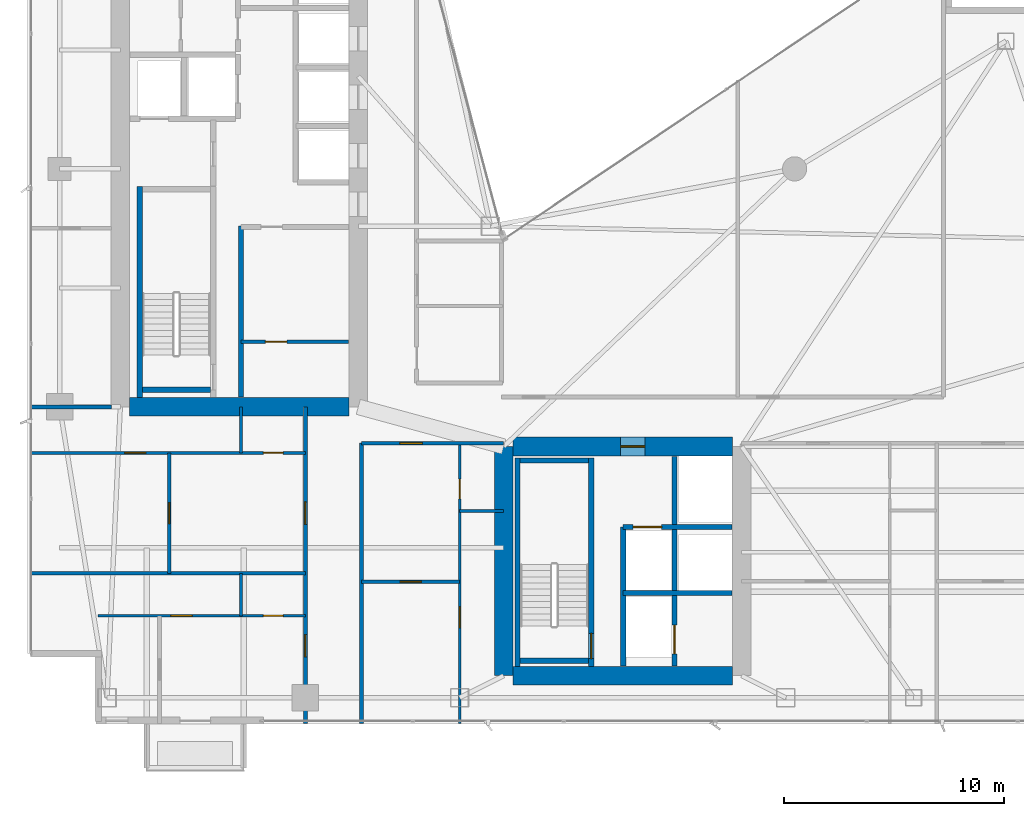
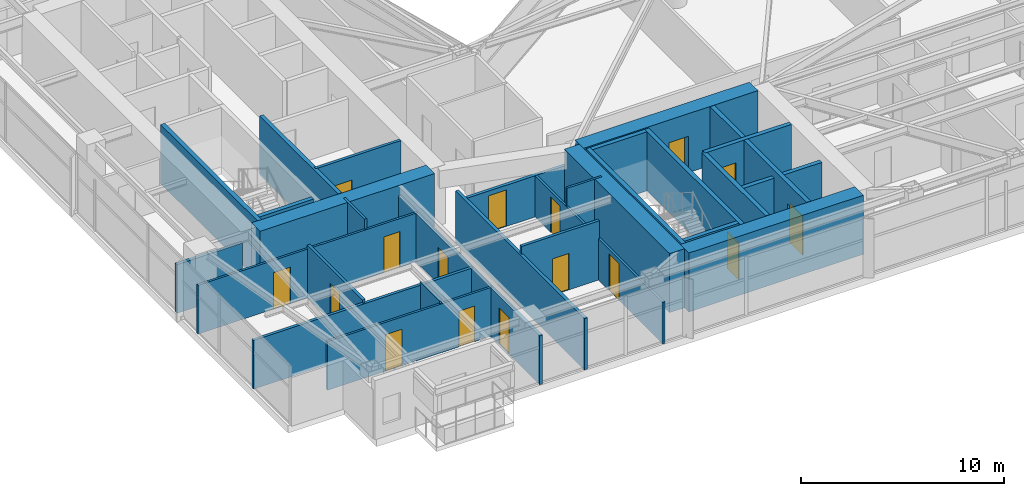
# One storey, part 24 of 30: 29 walls, 16 doors, 16 openings.
"""IFC4 building model written with IfcOpenShell, lengths in metres."""

from ifc_helpers import new_model, si_unit, direction, frame, frame_2d, origin, place, context, subcontext, project, spatial, rectangle, extrude, material, layer, layer_set, type_object, element, fill, save


model = new_model("IFC4")

# Units and contexts
model_context = context("Model", 3, precision=1e-05, world=origin(), true_north=direction((0.0, 1.0)))
body_context = subcontext(model_context, "Body", "Model", "MODEL_VIEW")
ifc_project = project(units=[si_unit("LENGTHUNIT", "METRE"), si_unit("AREAUNIT", "SQUARE_METRE"), si_unit("VOLUMEUNIT", "CUBIC_METRE"), si_unit("PLANEANGLEUNIT", "RADIAN"), si_unit("MASSUNIT", "GRAM", prefix="KILO")], contexts=[model_context])

# Site, building, storey
site_placement = place(None, origin())
site = spatial("IfcSite", under=ifc_project, at=site_placement, CompositionType="ELEMENT")
building_placement = place(site_placement, origin())
building = spatial("IfcBuilding", under=site, at=building_placement, Name="Calvorn Quay Hotel", CompositionType="ELEMENT")
storey_placement = place(building_placement, frame((0.0, 0.0, 191.300048828125)))
storey = spatial("IfcBuildingStorey", under=building, at=storey_placement, Name="L47", CompositionType="ELEMENT", Elevation=191.300048828125)

# Walls
ifc_material_1 = material(Name="Concrete C50", Category="concrete")
ifc_layer_1 = layer(ifc_material_1, 0.85009765625)
ifc_layer_set_1 = layer_set([ifc_layer_1], Name="WL-CORE-850")
wall_type_1 = type_object("IfcWallType", Name="WL-CORE-850", PredefinedType="SHEAR", material=ifc_layer_set_1)
wall_1_placement = place(storey_placement, frame((4.625, 16.800048828125, 0.0), z_axis=(0.0, 0.0, 1.0), x_axis=(1.0, 0.0, 0.0)))
element("IfcWall", 1, at=wall_1_placement, inside=storey, type_object=wall_type_1, Name="West Core Shear Wall S (L47)", PredefinedType="SHEAR", context=body_context, shape_type="SweptSolid", body=[
    extrude(rectangle(XDim=9.949951171875, YDim=0.85009765625, at=frame_2d((4.97509765625, 0.0))), origin(), (0.0, 0.0, 1.0), 3.56005859375),
])
wall_2_placement = place(storey_placement, frame((21.60009765625, 4.60009765625, 0.0), z_axis=(0.0, 0.0, 1.0), x_axis=(0.0, 1.0, 0.0)))
element("IfcWall", 2, at=wall_2_placement, inside=storey, type_object=wall_type_1, Name="East Core Shear Wall W (L47)", PredefinedType="SHEAR", context=body_context, shape_type="SweptSolid", body=[
    extrude(rectangle(XDim=10.39990234375, YDim=0.85009765625, at=frame_2d((5.199951171875, 0.0))), origin(), (0.0, 0.0, 1.0), 3.56005859375),
])

# Wall, opening, door
wall_3_placement = place(storey_placement, frame((22.02490234375, 15.0, 0.0), z_axis=(0.0, 0.0, 1.0), x_axis=(1.0, 0.0, 0.0)))
wall_3 = element("IfcWall", 3, at=wall_3_placement, inside=storey, type_object=wall_type_1, Name="East Core Shear Wall N (L47)", PredefinedType="SHEAR", context=body_context, shape_type="SweptSolid", body=[
    extrude(rectangle(XDim=9.9501953125, YDim=0.85009765625, at=frame_2d((4.97509765625, 0.0))), origin(), (0.0, 0.0, 1.0), 3.56005859375),
])
opening_1_placement = place(wall_3_placement, frame((4.8798828125, 0.0, 0.0)))
opening_1 = element("IfcOpeningElement", 4, at=opening_1_placement, cuts=wall_3, Name="Opening D-L47-FLE", PredefinedType="OPENING", context=body_context, shape_type="SweptSolid", body=[
    extrude(rectangle(XDim=1.10009765625, YDim=2.199951171875, at=frame_2d((0.550048828125, 1.10009765625))), frame((0.0, 0.43505859375, 0.0), z_axis=(0.0, -1.0, 0.0), x_axis=(1.0, 0.0, 0.0)), (0.0, 0.0, 1.0), 0.8701171875),
])
ifc_material_2 = material(Name="Smoke-Sealed Steel Class A Fire Door", Category="steel")
door_type_1 = type_object("IfcDoorType", Name="DR-FFLOBBY-1100", OperationType="NOTDEFINED", PredefinedType="DOOR", material=ifc_material_2)
door_1_placement = place(opening_1_placement, origin())
door_1 = element("IfcDoor", 5, at=door_1_placement, inside=storey, type_object=door_type_1, Name="East Firefighting Lobby Fire Door (L47)", OperationType="SINGLE_SWING_LEFT", OverallHeight=2.199951171875, OverallWidth=1.10009765625, PredefinedType="DOOR", context=body_context, shape_type="SweptSolid", body=[
    extrude(rectangle(XDim=1.10009765625, YDim=2.199951171875, at=frame_2d((0.550048828125, 1.10009765625))), frame((0.0, 0.02490234375, 0.0), z_axis=(0.0, -1.0, 0.0), x_axis=(1.0, 0.0, 0.0)), (0.0, 0.0, 1.0), 0.050048828125),
])
fill(opening_1, door_1)

# Walls
wall_4_placement = place(storey_placement, frame((22.02490234375, 4.60009765625, 0.0), z_axis=(0.0, 0.0, 1.0), x_axis=(1.0, 0.0, 0.0)))
element("IfcWall", 6, at=wall_4_placement, inside=storey, type_object=wall_type_1, Name="East Core Shear Wall S (L47)", PredefinedType="SHEAR", context=body_context, shape_type="SweptSolid", body=[
    extrude(rectangle(XDim=9.9501953125, YDim=0.85009765625, at=frame_2d((4.97509765625, 0.0))), origin(), (0.0, 0.0, 1.0), 3.56005859375),
])
ifc_material_3 = material(Name="Acoustic Fireboard Steel-Stud Partition", Category="steel")
ifc_layer_2 = layer(ifc_material_3, 0.179931640625)
ifc_layer_set_2 = layer_set([ifc_layer_2], Name="WL-CORR-FIRE-180")
wall_type_2 = type_object("IfcWallType", Name="WL-CORR-FIRE-180", PredefinedType="PARTITIONING", material=ifc_layer_set_2)
wall_5_placement = place(storey_placement, frame((0.080078125, 16.800048828125, 0.0), z_axis=(0.0, 0.0, 1.0), x_axis=(1.0, 0.0, 0.0)))
element("IfcWall", 7, at=wall_5_placement, inside=storey, type_object=wall_type_2, Name="Partition Wall L47-WL-WBAY-S-WALL", PredefinedType="PARTITIONING", context=body_context, shape_type="SweptSolid", body=[
    extrude(rectangle(XDim=3.724853515625, YDim=0.179931640625, at=frame_2d((1.8623046875, 0.0))), origin(), (0.0, 0.0, 1.0), 2.93994140625),
])

# Wall, openings, doors
wall_6_placement = place(storey_placement, frame((12.60009765625, 2.43994140625, 0.0), z_axis=(0.0, 0.0, 1.0), x_axis=(0.0, 1.0, 0.0)))
wall_6 = element("IfcWall", 8, at=wall_6_placement, inside=storey, type_object=wall_type_2, Name="Partition Wall L47-WL-CORR-SW-LEG-W", PredefinedType="PARTITIONING", context=body_context, shape_type="SweptSolid", body=[
    extrude(rectangle(XDim=14.360107421875, YDim=0.179931640625, at=frame_2d((7.18017578125, 0.0))), origin(), (0.0, 0.0, 1.0), 2.93994140625),
])
opening_2_placement = place(wall_6_placement, frame((3.010009765625, 0.0, 0.0)))
opening_2 = element("IfcOpeningElement", 9, at=opening_2_placement, cuts=wall_6, Name="Opening D-L47-U01", PredefinedType="OPENING", context=body_context, shape_type="SweptSolid", body=[
    extrude(rectangle(XDim=1.02001953125, YDim=2.199951171875, at=frame_2d((0.510009765625, 1.10009765625))), frame((0.0, 0.099853515625, 0.0), z_axis=(0.0, -1.0, 0.0), x_axis=(1.0, 0.0, 0.0)), (0.0, 0.0, 1.0), 0.199951171875),
])
opening_3_placement = place(wall_6_placement, frame((9.030029296875, 0.0, 0.0)))
opening_3 = element("IfcOpeningElement", 10, at=opening_3_placement, cuts=wall_6, Name="Opening D-L47-U02", PredefinedType="OPENING", context=body_context, shape_type="SweptSolid", body=[
    extrude(rectangle(XDim=1.02001953125, YDim=2.199951171875, at=frame_2d((0.510009765625, 1.10009765625))), frame((0.0, 0.099853515625, 0.0), z_axis=(0.0, -1.0, 0.0), x_axis=(1.0, 0.0, 0.0)), (0.0, 0.0, 1.0), 0.199951171875),
])
ifc_material_4 = material(Name="Solid-Core Walnut Veneer Hotel Fire Door")
door_type_2 = type_object("IfcDoorType", Name="DR-GUEST-ENTRY-1020", OperationType="NOTDEFINED", PredefinedType="DOOR", material=ifc_material_4)
door_2_placement = place(opening_2_placement, origin())
door_2 = element("IfcDoor", 11, at=door_2_placement, inside=storey, type_object=door_type_2, Name="South-West Unit Door U01 (L47)", OperationType="SINGLE_SWING_LEFT", OverallHeight=2.199951171875, OverallWidth=1.02001953125, PredefinedType="DOOR", context=body_context, shape_type="SweptSolid", body=[
    extrude(rectangle(XDim=1.02001953125, YDim=2.199951171875, at=frame_2d((0.510009765625, 1.10009765625))), frame((0.0, 0.02490234375, 0.0), z_axis=(0.0, -1.0, 0.0), x_axis=(1.0, 0.0, 0.0)), (0.0, 0.0, 1.0), 0.050048828125),
])
fill(opening_2, door_2)
door_3_placement = place(opening_3_placement, origin())
door_3 = element("IfcDoor", 12, at=door_3_placement, inside=storey, type_object=door_type_2, Name="South-West Unit Door U02 (L47)", OperationType="SINGLE_SWING_RIGHT", OverallHeight=2.199951171875, OverallWidth=1.02001953125, PredefinedType="DOOR", context=body_context, shape_type="SweptSolid", body=[
    extrude(rectangle(XDim=1.02001953125, YDim=2.199951171875, at=frame_2d((0.510009765625, 1.10009765625))), frame((0.0, 0.02490234375, 0.0), z_axis=(0.0, -1.0, 0.0), x_axis=(1.0, 0.0, 0.0)), (0.0, 0.0, 1.0), 0.050048828125),
])
fill(opening_3, door_3)

# Wall
wall_7_placement = place(storey_placement, frame((15.14990234375, 2.43994140625, 0.0), z_axis=(0.0, 0.0, 1.0), x_axis=(0.0, 1.0, 0.0)))
element("IfcWall", 13, at=wall_7_placement, inside=storey, type_object=wall_type_2, Name="Partition Wall L47-WL-CORR-SW-W", PredefinedType="PARTITIONING", context=body_context, shape_type="SweptSolid", body=[
    extrude(rectangle(XDim=12.7099609375, YDim=0.179931640625, at=frame_2d((6.35498046875, 0.0))), origin(), (0.0, 0.0, 1.0), 3.08984375),
])

# Wall, opening, door
wall_8_placement = place(storey_placement, frame((15.14990234375, 15.14990234375, 0.0), z_axis=(0.0, 0.0, 1.0), x_axis=(1.0, 0.0, 0.0)))
wall_8 = element("IfcWall", 14, at=wall_8_placement, inside=storey, type_object=wall_type_2, Name="Partition Wall L47-WL-SC-CORR-S", PredefinedType="PARTITIONING", context=body_context, shape_type="SweptSolid", body=[
    extrude(rectangle(XDim=6.4501953125, YDim=0.179931640625, at=frame_2d((3.22509765625, 0.0))), origin(), (0.0, 0.0, 1.0), 2.489990234375),
])
opening_4_placement = place(wall_8_placement, frame((1.739990234375, 0.0, 0.0)))
opening_4 = element("IfcOpeningElement", 15, at=opening_4_placement, cuts=wall_8, Name="Opening D-L47-U03", PredefinedType="OPENING", context=body_context, shape_type="SweptSolid", body=[
    extrude(rectangle(XDim=1.02001953125, YDim=2.199951171875, at=frame_2d((0.510009765625, 1.10009765625))), frame((0.0, 0.099853515625, 0.0), z_axis=(0.0, -1.0, 0.0), x_axis=(1.0, 0.0, 0.0)), (0.0, 0.0, 1.0), 0.199951171875),
])
door_4_placement = place(opening_4_placement, origin())
door_4 = element("IfcDoor", 16, at=door_4_placement, inside=storey, type_object=door_type_2, Name="Harbour Central Unit Door (L47)", OperationType="SINGLE_SWING_LEFT", OverallHeight=2.199951171875, OverallWidth=1.02001953125, PredefinedType="DOOR", context=body_context, shape_type="SweptSolid", body=[
    extrude(rectangle(XDim=1.02001953125, YDim=2.199951171875, at=frame_2d((0.510009765625, 1.10009765625))), frame((0.0, 0.02490234375, 0.0), z_axis=(0.0, -1.0, 0.0), x_axis=(1.0, 0.0, 0.0)), (0.0, 0.0, 1.0), 0.050048828125),
])
fill(opening_4, door_4)

# Wall
ifc_material_5 = material(Name="Moisture-Resistant Tile-Backed Partition")
ifc_layer_3 = layer(ifc_material_5, 0.125)
ifc_layer_set_3 = layer_set([ifc_layer_3], Name="WL-ENSUITE-125")
wall_type_3 = type_object("IfcWallType", Name="WL-ENSUITE-125", PredefinedType="PARTITIONING", material=ifc_layer_set_3)
wall_9_placement = place(storey_placement, frame((9.679931640625, 7.320068359375, 0.0), z_axis=(0.0, 0.0, 1.0), x_axis=(0.0, 1.0, 0.0)))
element("IfcWall", 17, at=wall_9_placement, inside=storey, type_object=wall_type_3, Name="Partition Wall L47-WL-U01-BDV", PredefinedType="PARTITIONING", context=body_context, shape_type="SweptSolid", body=[
    extrude(rectangle(XDim=1.929931640625, YDim=0.125, at=frame_2d((0.96484375, 0.0))), origin(), (0.0, 0.0, 1.0), 3.08984375),
])

# Wall, openings, doors
wall_10_placement = place(storey_placement, frame((3.199951171875, 7.320068359375, 0.0), z_axis=(0.0, 0.0, 1.0), x_axis=(1.0, 0.0, 0.0)))
wall_10 = element("IfcWall", 18, at=wall_10_placement, inside=storey, type_object=wall_type_3, Name="Partition Wall L47-WL-U01-BH", PredefinedType="PARTITIONING", context=body_context, shape_type="SweptSolid", body=[
    extrude(rectangle(XDim=9.400146484375, YDim=0.125, at=frame_2d((4.7001953125, 0.0))), origin(), (0.0, 0.0, 1.0), 2.93994140625),
])
opening_5_placement = place(wall_10_placement, frame((3.300048828125, 0.0, 0.0)))
opening_5 = element("IfcOpeningElement", 19, at=opening_5_placement, cuts=wall_10, Name="Opening D-L47-S01", PredefinedType="OPENING", context=body_context, shape_type="SweptSolid", body=[
    extrude(rectangle(XDim=0.9599609375, YDim=2.199951171875, at=frame_2d((0.47998046875, 1.10009765625))), frame((0.0, 0.072509765625, 0.0), z_axis=(0.0, -1.0, 0.0), x_axis=(1.0, 0.0, 0.0)), (0.0, 0.0, 1.0), 0.14501953125),
])
opening_6_placement = place(wall_10_placement, frame((7.489990234375, 0.0, 0.0)))
opening_6 = element("IfcOpeningElement", 20, at=opening_6_placement, cuts=wall_10, Name="Opening D-L47-E01", PredefinedType="OPENING", context=body_context, shape_type="SweptSolid", body=[
    extrude(rectangle(XDim=0.89990234375, YDim=2.14990234375, at=frame_2d((0.449951171875, 1.074951171875))), frame((0.0, 0.072509765625, 0.0), z_axis=(0.0, -1.0, 0.0), x_axis=(1.0, 0.0, 0.0)), (0.0, 0.0, 1.0), 0.14501953125),
])
ifc_material_6 = material(Name="Moisture-Sealed Timber En-Suite Door", Category="wood")
door_type_3 = type_object("IfcDoorType", Name="DR-ENSUITE-900", OperationType="NOTDEFINED", PredefinedType="DOOR", material=ifc_material_6)
door_5_placement = place(opening_6_placement, origin())
door_5 = element("IfcDoor", 21, at=door_5_placement, inside=storey, type_object=door_type_3, Name="En-Suite Door 01", OperationType="SINGLE_SWING_RIGHT", OverallHeight=2.14990234375, OverallWidth=0.89990234375, PredefinedType="DOOR", context=body_context, shape_type="SweptSolid", body=[
    extrude(rectangle(XDim=0.89990234375, YDim=2.14990234375, at=frame_2d((0.449951171875, 1.074951171875))), frame((0.0, 0.02490234375, 0.0), z_axis=(0.0, -1.0, 0.0), x_axis=(1.0, 0.0, 0.0)), (0.0, 0.0, 1.0), 0.050048828125),
])
fill(opening_6, door_5)
ifc_material_7 = material(Name="Solid Timber Internal Suite Door", Category="wood")
door_type_4 = type_object("IfcDoorType", Name="DR-SUITE-INT-960", OperationType="NOTDEFINED", PredefinedType="DOOR", material=ifc_material_7)
door_6_placement = place(opening_5_placement, origin())
door_6 = element("IfcDoor", 22, at=door_6_placement, inside=storey, type_object=door_type_4, Name="Harbour Dining Den Door 01", OperationType="SINGLE_SWING_LEFT", OverallHeight=2.199951171875, OverallWidth=0.9599609375, PredefinedType="DOOR", context=body_context, shape_type="SweptSolid", body=[
    extrude(rectangle(XDim=0.9599609375, YDim=2.199951171875, at=frame_2d((0.47998046875, 1.10009765625))), frame((0.0, 0.02490234375, 0.0), z_axis=(0.0, -1.0, 0.0), x_axis=(1.0, 0.0, 0.0)), (0.0, 0.0, 1.0), 0.050048828125),
])
fill(opening_5, door_6)

# Wall
wall_11_placement = place(storey_placement, frame((9.679931640625, 14.7099609375, 0.0), z_axis=(0.0, 0.0, 1.0), x_axis=(0.0, 1.0, 0.0)))
element("IfcWall", 23, at=wall_11_placement, inside=storey, type_object=wall_type_3, Name="Partition Wall L47-WL-U02-BDV", PredefinedType="PARTITIONING", context=body_context, shape_type="SweptSolid", body=[
    extrude(rectangle(XDim=2.090087890625, YDim=0.125, at=frame_2d((1.044921875, 0.0))), origin(), (0.0, 0.0, 1.0), 3.56005859375),
])

# Wall, openings, doors
wall_12_placement = place(storey_placement, frame((0.080078125, 14.7099609375, 0.0), z_axis=(0.0, 0.0, 1.0), x_axis=(1.0, 0.0, 0.0)))
wall_12 = element("IfcWall", 24, at=wall_12_placement, inside=storey, type_object=wall_type_3, Name="Partition Wall L47-WL-U02-BH", PredefinedType="PARTITIONING", context=body_context, shape_type="SweptSolid", body=[
    extrude(rectangle(XDim=12.52001953125, YDim=0.125, at=frame_2d((6.260009765625, 0.0))), origin(), (0.0, 0.0, 1.0), 2.93994140625),
])
opening_7_placement = place(wall_12_placement, frame((4.320068359375, 0.0, 0.0)))
opening_7 = element("IfcOpeningElement", 25, at=opening_7_placement, cuts=wall_12, Name="Opening D-L47-S02", PredefinedType="OPENING", context=body_context, shape_type="SweptSolid", body=[
    extrude(rectangle(XDim=0.9599609375, YDim=2.199951171875, at=frame_2d((0.47998046875, 1.10009765625))), frame((0.0, 0.072509765625, 0.0), z_axis=(0.0, -1.0, 0.0), x_axis=(1.0, 0.0, 0.0)), (0.0, 0.0, 1.0), 0.14501953125),
])
opening_8_placement = place(wall_12_placement, frame((10.610107421875, 0.0, 0.0)))
opening_8 = element("IfcOpeningElement", 26, at=opening_8_placement, cuts=wall_12, Name="Opening D-L47-E02", PredefinedType="OPENING", context=body_context, shape_type="SweptSolid", body=[
    extrude(rectangle(XDim=0.89990234375, YDim=2.14990234375, at=frame_2d((0.449951171875, 1.074951171875))), frame((0.0, 0.072509765625, 0.0), z_axis=(0.0, -1.0, 0.0), x_axis=(1.0, 0.0, 0.0)), (0.0, 0.0, 1.0), 0.14501953125),
])
door_7_placement = place(opening_8_placement, origin())
door_7 = element("IfcDoor", 27, at=door_7_placement, inside=storey, type_object=door_type_3, Name="En-Suite Door 02", OperationType="SINGLE_SWING_RIGHT", OverallHeight=2.14990234375, OverallWidth=0.89990234375, PredefinedType="DOOR", context=body_context, shape_type="SweptSolid", body=[
    extrude(rectangle(XDim=0.89990234375, YDim=2.14990234375, at=frame_2d((0.449951171875, 1.074951171875))), frame((0.0, 0.02490234375, 0.0), z_axis=(0.0, -1.0, 0.0), x_axis=(1.0, 0.0, 0.0)), (0.0, 0.0, 1.0), 0.050048828125),
])
fill(opening_8, door_7)
door_8_placement = place(opening_7_placement, origin())
door_8 = element("IfcDoor", 28, at=door_8_placement, inside=storey, type_object=door_type_4, Name="Harbour Dining Den Door 02", OperationType="SINGLE_SWING_LEFT", OverallHeight=2.199951171875, OverallWidth=0.9599609375, PredefinedType="DOOR", context=body_context, shape_type="SweptSolid", body=[
    extrude(rectangle(XDim=0.9599609375, YDim=2.199951171875, at=frame_2d((0.47998046875, 1.10009765625))), frame((0.0, 0.02490234375, 0.0), z_axis=(0.0, -1.0, 0.0), x_axis=(1.0, 0.0, 0.0)), (0.0, 0.0, 1.0), 0.050048828125),
])
fill(opening_7, door_8)

# Wall
wall_13_placement = place(storey_placement, frame((19.60009765625, 12.070068359375, 0.0), z_axis=(0.0, 0.0, 1.0), x_axis=(1.0, 0.0, 0.0)))
element("IfcWall", 29, at=wall_13_placement, inside=storey, type_object=wall_type_3, Name="Partition Wall L47-WL-U03-BDV", PredefinedType="PARTITIONING", context=body_context, shape_type="SweptSolid", body=[
    extrude(rectangle(XDim=2.0, YDim=0.125, at=frame_2d((1.0, 0.0))), origin(), (0.0, 0.0, 1.0), 3.56005859375),
])

# Wall, openings, doors
wall_14_placement = place(storey_placement, frame((19.60009765625, 2.43994140625, 0.0), z_axis=(0.0, 0.0, 1.0), x_axis=(0.0, 1.0, 0.0)))
wall_14 = element("IfcWall", 30, at=wall_14_placement, inside=storey, type_object=wall_type_3, Name="Partition Wall L47-WL-U03-BV", PredefinedType="PARTITIONING", context=body_context, shape_type="SweptSolid", body=[
    extrude(rectangle(XDim=12.7099609375, YDim=0.125, at=frame_2d((6.35498046875, 0.0))), origin(), (0.0, 0.0, 1.0), 2.489990234375),
])
opening_9_placement = place(wall_14_placement, frame((4.340087890625, 0.0, 0.0)))
opening_9 = element("IfcOpeningElement", 31, at=opening_9_placement, cuts=wall_14, Name="Opening D-L47-S03", PredefinedType="OPENING", context=body_context, shape_type="SweptSolid", body=[
    extrude(rectangle(XDim=0.9599609375, YDim=2.199951171875, at=frame_2d((0.47998046875, 1.10009765625))), frame((0.0, 0.072509765625, 0.0), z_axis=(0.0, -1.0, 0.0), x_axis=(1.0, 0.0, 0.0)), (0.0, 0.0, 1.0), 0.14501953125),
])
opening_10_placement = place(wall_14_placement, frame((10.179931640625, 0.0, 0.0)))
opening_10 = element("IfcOpeningElement", 32, at=opening_10_placement, cuts=wall_14, Name="Opening D-L47-E03", PredefinedType="OPENING", context=body_context, shape_type="SweptSolid", body=[
    extrude(rectangle(XDim=0.89990234375, YDim=2.14990234375, at=frame_2d((0.449951171875, 1.074951171875))), frame((0.0, 0.072509765625, 0.0), z_axis=(0.0, -1.0, 0.0), x_axis=(1.0, 0.0, 0.0)), (0.0, 0.0, 1.0), 0.14501953125),
])
door_9_placement = place(opening_10_placement, origin())
door_9 = element("IfcDoor", 33, at=door_9_placement, inside=storey, type_object=door_type_3, Name="En-Suite Door 03", OperationType="SINGLE_SWING_RIGHT", OverallHeight=2.14990234375, OverallWidth=0.89990234375, PredefinedType="DOOR", context=body_context, shape_type="SweptSolid", body=[
    extrude(rectangle(XDim=0.89990234375, YDim=2.14990234375, at=frame_2d((0.449951171875, 1.074951171875))), frame((0.0, 0.02490234375, 0.0), z_axis=(0.0, -1.0, 0.0), x_axis=(1.0, 0.0, 0.0)), (0.0, 0.0, 1.0), 0.050048828125),
])
fill(opening_10, door_9)
door_10_placement = place(opening_9_placement, origin())
door_10 = element("IfcDoor", 34, at=door_10_placement, inside=storey, type_object=door_type_4, Name="Harbour Dining Den Door 03", OperationType="SINGLE_SWING_LEFT", OverallHeight=2.199951171875, OverallWidth=0.9599609375, PredefinedType="DOOR", context=body_context, shape_type="SweptSolid", body=[
    extrude(rectangle(XDim=0.9599609375, YDim=2.199951171875, at=frame_2d((0.47998046875, 1.10009765625))), frame((0.0, 0.02490234375, 0.0), z_axis=(0.0, -1.0, 0.0), x_axis=(1.0, 0.0, 0.0)), (0.0, 0.0, 1.0), 0.050048828125),
])
fill(opening_9, door_10)

# Wall, opening, door
ifc_material_8 = material(Name="Double-Stud Acoustic Gypsum Partition")
ifc_layer_4 = layer(ifc_material_8, 0.159912109375)
ifc_layer_set_4 = layer_set([ifc_layer_4], Name="WL-INTERSUITE-160")
wall_type_4 = type_object("IfcWallType", Name="WL-INTERSUITE-160", PredefinedType="PARTITIONING", material=ifc_layer_set_4)
wall_15_placement = place(storey_placement, frame((9.679931640625, 19.75, 0.0), z_axis=(0.0, 0.0, 1.0), x_axis=(1.0, 0.0, 0.0)))
wall_15 = element("IfcWall", 35, at=wall_15_placement, inside=storey, type_object=wall_type_4, Name="Partition Wall L47-WL-CWW-FR-SPLIT", PredefinedType="PARTITIONING", context=body_context, shape_type="SweptSolid", body=[
    extrude(rectangle(XDim=4.875, YDim=0.159912109375, at=frame_2d((2.4375, 0.0))), origin(), (0.0, 0.0, 1.0), 3.56005859375),
])
opening_11_placement = place(wall_15_placement, frame((1.10009765625, 0.0, 0.0)))
opening_11 = element("IfcOpeningElement", 36, at=opening_11_placement, cuts=wall_15, Name="Opening D-L47-FRL1", PredefinedType="OPENING", context=body_context, shape_type="SweptSolid", body=[
    extrude(rectangle(XDim=0.97998046875, YDim=2.14990234375, at=frame_2d((0.489990234375, 1.074951171875))), frame((0.0, 0.08984375, 0.0), z_axis=(0.0, -1.0, 0.0), x_axis=(1.0, 0.0, 0.0)), (0.0, 0.0, 1.0), 0.179931640625),
])
ifc_material_9 = material(Name="Painted Steel Housekeeping/Riser Fire Door", Category="steel")
door_type_5 = type_object("IfcDoorType", Name="DR-SERVICE-980", OperationType="NOTDEFINED", PredefinedType="DOOR", material=ifc_material_9)
door_11_placement = place(opening_11_placement, origin())
door_11 = element("IfcDoor", 37, at=door_11_placement, inside=storey, type_object=door_type_5, Name="Linen Store Room Door (L47)", OperationType="SINGLE_SWING_LEFT", OverallHeight=2.14990234375, OverallWidth=0.97998046875, PredefinedType="DOOR", context=body_context, shape_type="SweptSolid", body=[
    extrude(rectangle(XDim=0.97998046875, YDim=2.14990234375, at=frame_2d((0.489990234375, 1.074951171875))), frame((0.0, 0.02490234375, 0.0), z_axis=(0.0, -1.0, 0.0), x_axis=(1.0, 0.0, 0.0)), (0.0, 0.0, 1.0), 0.050048828125),
])
fill(opening_11, door_11)

wall_16_placement = place(storey_placement, frame((6.419921875, 9.25, 0.0), z_axis=(0.0, 0.0, 1.0), x_axis=(0.0, 1.0, 0.0)))
wall_16 = element("IfcWall", 38, at=wall_16_placement, inside=storey, type_object=wall_type_4, Name="Partition Wall L47-WL-U02-MSP", PredefinedType="PARTITIONING", context=body_context, shape_type="SweptSolid", body=[
    extrude(rectangle(XDim=5.4599609375, YDim=0.159912109375, at=frame_2d((2.72998046875, 0.0))), origin(), (0.0, 0.0, 1.0), 3.139892578125),
])
opening_12_placement = place(wall_16_placement, frame((2.25, 0.0, 0.0)))
opening_12 = element("IfcOpeningElement", 39, at=opening_12_placement, cuts=wall_16, Name="Opening D-L47-M02", PredefinedType="OPENING", context=body_context, shape_type="SweptSolid", body=[
    extrude(rectangle(XDim=0.9599609375, YDim=2.199951171875, at=frame_2d((0.47998046875, 1.10009765625))), frame((0.0, 0.08984375, 0.0), z_axis=(0.0, -1.0, 0.0), x_axis=(1.0, 0.0, 0.0)), (0.0, 0.0, 1.0), 0.179931640625),
])
door_12_placement = place(opening_12_placement, origin())
door_12 = element("IfcDoor", 40, at=door_12_placement, inside=storey, type_object=door_type_4, Name="Suite Bedroom Door 02", OperationType="SINGLE_SWING_LEFT", OverallHeight=2.199951171875, OverallWidth=0.9599609375, PredefinedType="DOOR", context=body_context, shape_type="SweptSolid", body=[
    extrude(rectangle(XDim=0.9599609375, YDim=2.199951171875, at=frame_2d((0.47998046875, 1.10009765625))), frame((0.0, 0.02490234375, 0.0), z_axis=(0.0, -1.0, 0.0), x_axis=(1.0, 0.0, 0.0)), (0.0, 0.0, 1.0), 0.050048828125),
])
fill(opening_12, door_12)

# Wall
wall_17_placement = place(storey_placement, frame((0.080078125, 9.25, 0.0), z_axis=(0.0, 0.0, 1.0), x_axis=(1.0, 0.0, 0.0)))
element("IfcWall", 41, at=wall_17_placement, inside=storey, type_object=wall_type_4, Name="Partition Wall L47-WL-SW-DIV-1", PredefinedType="PARTITIONING", context=body_context, shape_type="SweptSolid", body=[
    extrude(rectangle(XDim=12.52001953125, YDim=0.159912109375, at=frame_2d((6.260009765625, 0.0))), origin(), (0.0, 0.0, 1.0), 2.93994140625),
])

# Wall, opening, door
wall_18_placement = place(storey_placement, frame((15.14990234375, 8.8701171875, 0.0), z_axis=(0.0, 0.0, 1.0), x_axis=(1.0, 0.0, 0.0)))
wall_18 = element("IfcWall", 42, at=wall_18_placement, inside=storey, type_object=wall_type_4, Name="Partition Wall L47-WL-U03-MSP", PredefinedType="PARTITIONING", context=body_context, shape_type="SweptSolid", body=[
    extrude(rectangle(XDim=4.4501953125, YDim=0.159912109375, at=frame_2d((2.22509765625, 0.0))), origin(), (0.0, 0.0, 1.0), 3.56005859375),
])
opening_13_placement = place(wall_18_placement, frame((1.75, 0.0, 0.0)))
opening_13 = element("IfcOpeningElement", 43, at=opening_13_placement, cuts=wall_18, Name="Opening D-L47-M03", PredefinedType="OPENING", context=body_context, shape_type="SweptSolid", body=[
    extrude(rectangle(XDim=0.9599609375, YDim=2.199951171875, at=frame_2d((0.47998046875, 1.10009765625))), frame((0.0, 0.08984375, 0.0), z_axis=(0.0, -1.0, 0.0), x_axis=(1.0, 0.0, 0.0)), (0.0, 0.0, 1.0), 0.179931640625),
])
door_13_placement = place(opening_13_placement, origin())
door_13 = element("IfcDoor", 44, at=door_13_placement, inside=storey, type_object=door_type_4, Name="Suite Bedroom Door 03", OperationType="SINGLE_SWING_LEFT", OverallHeight=2.199951171875, OverallWidth=0.9599609375, PredefinedType="DOOR", context=body_context, shape_type="SweptSolid", body=[
    extrude(rectangle(XDim=0.9599609375, YDim=2.199951171875, at=frame_2d((0.47998046875, 1.10009765625))), frame((0.0, 0.02490234375, 0.0), z_axis=(0.0, -1.0, 0.0), x_axis=(1.0, 0.0, 0.0)), (0.0, 0.0, 1.0), 0.050048828125),
])
fill(opening_13, door_13)

# Walls
ifc_material_10 = material(Name="Autoclaved Aerated Masonry Block", Category="masonry")
ifc_layer_5 = layer(ifc_material_10, 0.219970703125)
ifc_layer_set_5 = layer_set([ifc_layer_5], Name="WL-LOBBY-FIRE-220")
wall_type_5 = type_object("IfcWallType", Name="WL-LOBBY-FIRE-220", PredefinedType="SOLIDWALL", material=ifc_layer_set_5)
wall_19_placement = place(storey_placement, frame((9.679931640625, 17.2451171875, 0.0), z_axis=(0.0, 0.0, 1.0), x_axis=(0.0, 1.0, 0.0)))
element("IfcWall", 45, at=wall_19_placement, inside=storey, type_object=wall_type_5, Name="Partition Wall L47-WL-CWW-STW-HALL-E", PredefinedType="SOLIDWALL", context=body_context, shape_type="SweptSolid", body=[
    extrude(rectangle(XDim=7.7548828125, YDim=0.219970703125, at=frame_2d((3.87744140625, 0.0))), origin(), (0.0, 0.0, 1.0), 3.56005859375),
])
ifc_material_11 = material(Name="Concrete C40", Category="concrete")
ifc_layer_6 = layer(ifc_material_11, 0.239990234375)
ifc_layer_set_6 = layer_set([ifc_layer_6], Name="WL-SHAFT-240")
wall_type_6 = type_object("IfcWallType", Name="WL-SHAFT-240", PredefinedType="SOLIDWALL", material=ifc_layer_set_6)
wall_20_placement = place(storey_placement, frame((5.080078125, 17.22509765625, 0.0), z_axis=(0.0, 0.0, 1.0), x_axis=(0.0, 1.0, 0.0)))
element("IfcWall", 46, at=wall_20_placement, inside=storey, type_object=wall_type_6, Name="Stair STW Shaft Wall W (L47)", PredefinedType="SOLIDWALL", context=body_context, shape_type="SweptSolid", body=[
    extrude(rectangle(XDim=9.56494140625, YDim=0.239990234375, at=frame_2d((4.782470703125, 0.0))), origin(), (0.0, 0.0, 1.0), 3.56005859375),
])
wall_21_placement = place(storey_placement, frame((5.199951171875, 17.580078125, 0.0), z_axis=(0.0, 0.0, 1.0), x_axis=(1.0, 0.0, 0.0)))
element("IfcWall", 47, at=wall_21_placement, inside=storey, type_object=wall_type_6, Name="Stair STW Shaft Wall S (L47)", PredefinedType="SOLIDWALL", context=body_context, shape_type="SweptSolid", body=[
    extrude(rectangle(XDim=3.10009765625, YDim=0.239990234375, at=frame_2d((1.550048828125, 0.0))), origin(), (0.0, 0.0, 1.0), 3.56005859375),
])
wall_22_placement = place(storey_placement, frame((22.22998046875, 5.02490234375, 0.0), z_axis=(0.0, 0.0, 1.0), x_axis=(0.0, 1.0, 0.0)))
element("IfcWall", 48, at=wall_22_placement, inside=storey, type_object=wall_type_6, Name="Stair STE Shaft Wall W (L47)", PredefinedType="SOLIDWALL", context=body_context, shape_type="SweptSolid", body=[
    extrude(rectangle(XDim=9.465087890625, YDim=0.239990234375, at=frame_2d((4.732421875, 0.0))), origin(), (0.0, 0.0, 1.0), 3.56005859375),
])

# Wall, opening, door
wall_23_placement = place(storey_placement, frame((25.570068359375, 5.02490234375, 0.0), z_axis=(0.0, 0.0, 1.0), x_axis=(0.0, 1.0, 0.0)))
wall_23 = element("IfcWall", 49, at=wall_23_placement, inside=storey, type_object=wall_type_6, Name="Stair STE Shaft Wall E (L47)", PredefinedType="SOLIDWALL", context=body_context, shape_type="SweptSolid", body=[
    extrude(rectangle(XDim=9.465087890625, YDim=0.239990234375, at=frame_2d((4.732421875, 0.0))), origin(), (0.0, 0.0, 1.0), 3.56005859375),
])
opening_14_placement = place(wall_23_placement, frame((0.35009765625, 0.0, 0.0)))
opening_14 = element("IfcOpeningElement", 50, at=opening_14_placement, cuts=wall_23, Name="Opening D-L47-STE", PredefinedType="OPENING", context=body_context, shape_type="SweptSolid", body=[
    extrude(rectangle(XDim=1.14990234375, YDim=2.199951171875, at=frame_2d((0.574951171875, 1.10009765625))), frame((0.0, 0.1298828125, 0.0), z_axis=(0.0, -1.0, 0.0), x_axis=(1.0, 0.0, 0.0)), (0.0, 0.0, 1.0), 0.260009765625),
])
ifc_material_12 = material(Name="Galvanised Steel Class A Fire Door", Category="steel")
door_type_6 = type_object("IfcDoorType", Name="DR-STAIR-SMOKE-1150", OperationType="NOTDEFINED", PredefinedType="DOOR", material=ifc_material_12)
door_14_placement = place(opening_14_placement, origin())
door_14 = element("IfcDoor", 51, at=door_14_placement, inside=storey, type_object=door_type_6, Name="Stair ST-E Fire Door (L47)", OperationType="SINGLE_SWING_RIGHT", OverallHeight=2.199951171875, OverallWidth=1.14990234375, PredefinedType="DOOR", context=body_context, shape_type="SweptSolid", body=[
    extrude(rectangle(XDim=1.14990234375, YDim=2.199951171875, at=frame_2d((0.574951171875, 1.10009765625))), frame((0.0, 0.02490234375, 0.0), z_axis=(0.0, -1.0, 0.0), x_axis=(1.0, 0.0, 0.0)), (0.0, 0.0, 1.0), 0.050048828125),
])
fill(opening_14, door_14)

# Walls
for number, where, z_axis, x_axis, name in (
    (52, (22.35009765625, 5.280029296875, 0.0), (0.0, 0.0, 1.0), (1.0, 0.0, 0.0), "Stair STE Shaft Wall S (L47)"),
    (53, (22.35009765625, 14.3701171875, 0.0), (0.0, 0.0, 1.0), (1.0, 0.0, 0.0), "Stair STE Shaft Wall N (L47)"),
):
    element("IfcWall", number, at=place(storey_placement, frame(where, z_axis=z_axis, x_axis=x_axis)), inside=storey, type_object=wall_type_6, Name=name, PredefinedType="SOLIDWALL", context=body_context, shape_type="SweptSolid", body=[
        extrude(rectangle(XDim=3.099853515625, YDim=0.239990234375, at=frame_2d((1.5498046875, 0.0))), origin(), (0.0, 0.0, 1.0), 3.56005859375),
    ])
wall_24_placement = place(storey_placement, frame((27.02001953125, 5.044921875, 0.0), z_axis=(0.0, 0.0, 1.0), x_axis=(0.0, 1.0, 0.0)))
element("IfcWall", 54, at=wall_24_placement, inside=storey, type_object=wall_type_6, Name="Partition Wall L47-WL-CWE-SH-W", PredefinedType="SOLIDWALL", context=body_context, shape_type="SweptSolid", body=[
    extrude(rectangle(XDim=6.30517578125, YDim=0.239990234375, at=frame_2d((3.152587890625, 0.0))), origin(), (0.0, 0.0, 1.0), 3.56005859375),
])

# Wall, opening, door
wall_25_placement = place(storey_placement, frame((27.02001953125, 11.35009765625, 0.0), z_axis=(0.0, 0.0, 1.0), x_axis=(1.0, 0.0, 0.0)))
wall_25 = element("IfcWall", 55, at=wall_25_placement, inside=storey, type_object=wall_type_6, Name="Partition Wall L47-WL-CWE-FFL-S", PredefinedType="SOLIDWALL", context=body_context, shape_type="SweptSolid", body=[
    extrude(rectangle(XDim=4.93505859375, YDim=0.239990234375, at=frame_2d((2.467529296875, 0.0))), origin(), (0.0, 0.0, 1.0), 3.56005859375),
])
opening_15_placement = place(wall_25_placement, frame((0.449951171875, 0.0, 0.0)))
opening_15 = element("IfcOpeningElement", 56, at=opening_15_placement, cuts=wall_25, Name="Opening LD-L47-FLE1", PredefinedType="OPENING", context=body_context, shape_type="SweptSolid", body=[
    extrude(rectangle(XDim=1.300048828125, YDim=2.35009765625, at=frame_2d((0.64990234375, 1.175048828125))), frame((0.0, 0.1298828125, 0.0), z_axis=(0.0, -1.0, 0.0), x_axis=(1.0, 0.0, 0.0)), (0.0, 0.0, 1.0), 0.260009765625),
])
ifc_material_13 = material(Name="Champagne-Bronze Sliding Express Lift Landing Door")
door_type_7 = type_object("IfcDoorType", Name="DR-LIFT-SHUTTLE-1300", OperationType="NOTDEFINED", PredefinedType="DOOR", material=ifc_material_13)
door_15_placement = place(opening_15_placement, origin())
door_15 = element("IfcDoor", 57, at=door_15_placement, inside=storey, type_object=door_type_7, Name="Firefighting Lift FL-E1 Landing Door (L47)", OperationType="DOUBLE_DOOR_SLIDING", OverallHeight=2.35009765625, OverallWidth=1.300048828125, PredefinedType="DOOR", context=body_context, shape_type="SweptSolid", body=[
    extrude(rectangle(XDim=1.300048828125, YDim=2.35009765625, at=frame_2d((0.64990234375, 1.175048828125))), frame((0.0, 0.02490234375, 0.0), z_axis=(0.0, -1.0, 0.0), x_axis=(1.0, 0.0, 0.0)), (0.0, 0.0, 1.0), 0.050048828125),
])
fill(opening_15, door_15)

# Wall
wall_26_placement = place(storey_placement, frame((27.02001953125, 8.35009765625, 0.0), z_axis=(0.0, 0.0, 1.0), x_axis=(1.0, 0.0, 0.0)))
element("IfcWall", 58, at=wall_26_placement, inside=storey, type_object=wall_type_6, Name="Partition Wall L47-WL-CWE-SL-N", PredefinedType="SOLIDWALL", context=body_context, shape_type="SweptSolid", body=[
    extrude(rectangle(XDim=4.93505859375, YDim=0.239990234375, at=frame_2d((2.467529296875, 0.0))), origin(), (0.0, 0.0, 1.0), 3.08984375),
])

# Wall, opening, door
wall_27_placement = place(storey_placement, frame((29.35009765625, 5.044921875, 0.0), z_axis=(0.0, 0.0, 1.0), x_axis=(0.0, 1.0, 0.0)))
wall_27 = element("IfcWall", 59, at=wall_27_placement, inside=storey, type_object=wall_type_6, Name="Partition Wall L47-WL-CWE-OB-W", PredefinedType="SOLIDWALL", context=body_context, shape_type="SweptSolid", body=[
    extrude(rectangle(XDim=9.510009765625, YDim=0.239990234375, at=frame_2d((4.7548828125, 0.0))), origin(), (0.0, 0.0, 1.0), 3.56005859375),
])
opening_16_placement = place(wall_27_placement, frame((0.550048828125, 0.0, 0.0)))
opening_16 = element("IfcOpeningElement", 60, at=opening_16_placement, cuts=wall_27, Name="Opening LD-L47-SLEI", PredefinedType="OPENING", context=body_context, shape_type="SweptSolid", body=[
    extrude(rectangle(XDim=1.300048828125, YDim=2.35009765625, at=frame_2d((0.64990234375, 1.175048828125))), frame((0.0, 0.1298828125, 0.0), z_axis=(0.0, -1.0, 0.0), x_axis=(1.0, 0.0, 0.0)), (0.0, 0.0, 1.0), 0.260009765625),
])
door_16_placement = place(opening_16_placement, origin())
door_16 = element("IfcDoor", 61, at=door_16_placement, inside=storey, type_object=door_type_7, Name="Service Lift SL-E1 Landing Door (L47)", OperationType="DOUBLE_DOOR_SLIDING", OverallHeight=2.35009765625, OverallWidth=1.300048828125, PredefinedType="DOOR", context=body_context, shape_type="SweptSolid", body=[
    extrude(rectangle(XDim=1.300048828125, YDim=2.35009765625, at=frame_2d((0.64990234375, 1.175048828125))), frame((0.0, 0.02490234375, 0.0), z_axis=(0.0, -1.0, 0.0), x_axis=(1.0, 0.0, 0.0)), (0.0, 0.0, 1.0), 0.050048828125),
])
fill(opening_16, door_16)

save(model, "model.ifc")
